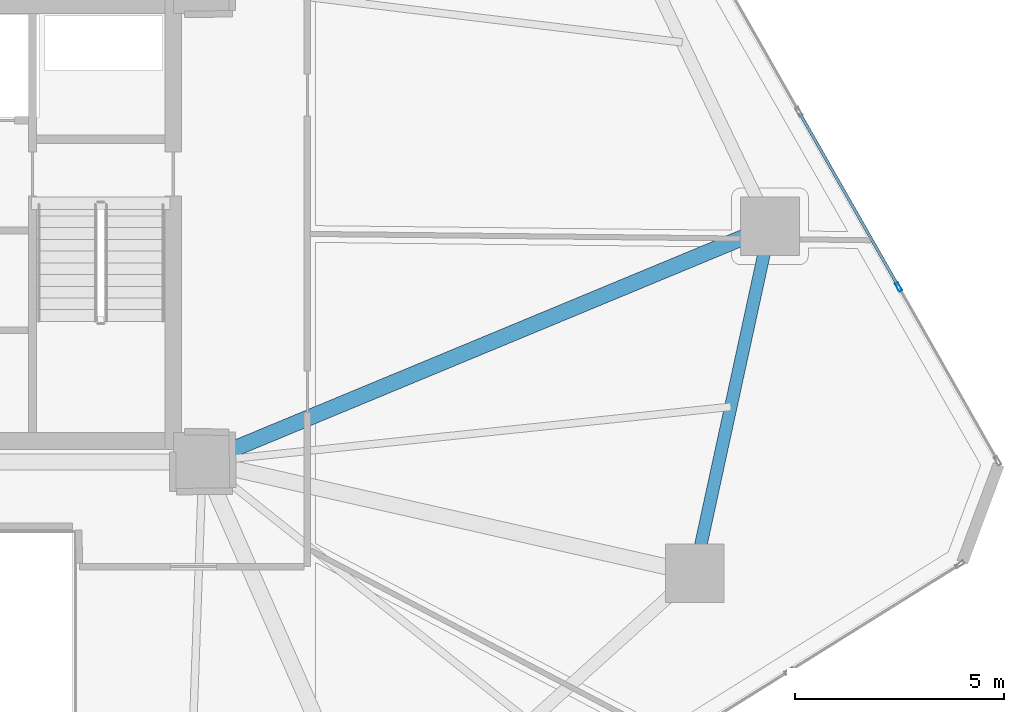
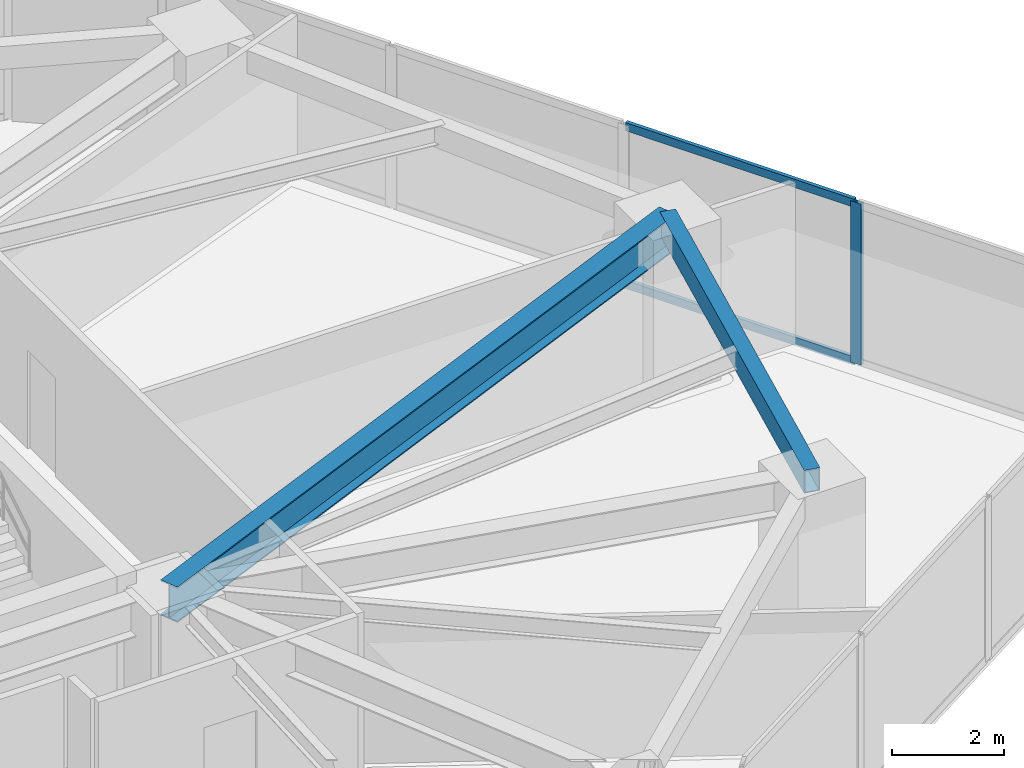
# One storey, part 11 of 22: 3 members, 2 beams, 1 element without a shape of its own.
"""IFC4 building model written with IfcOpenShell, lengths in metres."""

import ifcopenshell
import ifcopenshell.guid

model = None  # the IFC model being written
_history = None  # IfcOwnerHistory: only IFC2X3 demands one
_inside = {}  # id of a spatial element -> (the spatial element, [elements in it])
_under = {}  # id of a project, library or spatial element -> (it, [spatial elements below it])
_declared = {}  # id of a project -> (the project, [libraries it declares])
_typed = {}  # id of a type object -> (the type object, [elements of that type])
_made_of = {}  # id of a material, layer set ... -> (it, [elements and type objects made of it])


def new_model(schema):
    """Start an empty IFC model of exactly this schema.

    Asked for "IFC4X3", IfcOpenShell would pick the latest addendum, in which some entities
    have other attributes; the version numbers below select the first issue.
    IFC2X3 requires an IfcOwnerHistory on every rooted entity: one is made here for all.
    """
    global model, _history
    if schema == "IFC4X3":
        model = ifcopenshell.file(schema_version=(4, 3, 0, 0))
    else:
        model = ifcopenshell.file(schema=schema)
    _inside.clear()
    _under.clear()
    _declared.clear()
    _typed.clear()
    _made_of.clear()
    _history = None
    if model.schema == "IFC2X3":
        org = make("IfcOrganization", Name="unknown")
        user = make(
            "IfcPersonAndOrganization",
            ThePerson=make("IfcPerson", FamilyName="unknown"),
            TheOrganization=org,
        )
        app = make(
            "IfcApplication",
            ApplicationDeveloper=org,
            Version="unknown",
            ApplicationFullName="unknown",
            ApplicationIdentifier="unknown",
        )
        _history = make(
            "IfcOwnerHistory",
            OwningUser=user,
            OwningApplication=app,
            ChangeAction="ADDED",
            CreationDate=0,
        )
    return model


def make(cls, **values):
    """One entity of the class cls with the attributes given. An attribute that is None is left unset."""
    return model.create_entity(
        cls, **{name: value for name, value in values.items() if value is not None}
    )


def rooted(cls, **values):
    """An entity with a GlobalId (a new one), such as an element, a storey or a relation."""
    return make(cls, GlobalId=ifcopenshell.guid.new(), OwnerHistory=_history, **values)


def si_unit(unit_type, name, prefix=None):
    """IfcSIUnit, for example si_unit("LENGTHUNIT", "METRE", prefix="MILLI")."""
    return make("IfcSIUnit", UnitType=unit_type, Prefix=prefix, Name=name)


def assignment(units):
    """IfcUnitAssignment: the units of a project."""
    return None if units is None else make("IfcUnitAssignment", Units=units)


def point(xyz):
    """IfcCartesianPoint."""
    return None if xyz is None else make("IfcCartesianPoint", Coordinates=xyz)


def direction(xyz):
    """IfcDirection."""
    return None if xyz is None else make("IfcDirection", DirectionRatios=xyz)


def frame(location, z_axis=None, x_axis=None):
    """IfcAxis2Placement3D, a coordinate frame: its origin and axes. An axis left out is left unset."""
    return make(
        "IfcAxis2Placement3D",
        Location=point(location),
        Axis=direction(z_axis),
        RefDirection=direction(x_axis),
    )


def frame_2d(location, x_axis=None):
    """IfcAxis2Placement2D, a coordinate frame in the plane: its origin and x axis."""
    return make(
        "IfcAxis2Placement2D", Location=point(location), RefDirection=direction(x_axis)
    )


def origin():
    """The frame at (0, 0, 0) with its axes left unset."""
    return frame((0.0, 0.0, 0.0))


def origin_2d():
    """The frame at (0, 0) in the plane with its x axis left unset."""
    return frame_2d((0.0, 0.0))


def place(relative_to, where):
    """IfcLocalPlacement: puts the frame where relative to a parent placement (None: the world)."""
    return make(
        "IfcLocalPlacement", PlacementRelTo=relative_to, RelativePlacement=where
    )


def context(
    kind, dimensions, precision=None, world=None, true_north=None, identifier=None
):
    """IfcGeometricRepresentationContext, for example the 3D "Model" context."""
    return make(
        "IfcGeometricRepresentationContext",
        ContextIdentifier=identifier,
        ContextType=kind,
        CoordinateSpaceDimension=dimensions,
        Precision=precision,
        WorldCoordinateSystem=world,
        TrueNorth=true_north,
    )


def subcontext(parent, identifier, kind, view, scale=None):
    """IfcGeometricRepresentationSubContext, for example "Body" below "Model"."""
    return make(
        "IfcGeometricRepresentationSubContext",
        ContextIdentifier=identifier,
        ContextType=kind,
        ParentContext=parent,
        TargetScale=scale,
        TargetView=view,
    )


def project(units=None, contexts=None):
    """IfcProject with its units and contexts."""
    return rooted(
        "IfcProject",
        Name="project",
        RepresentationContexts=contexts,
        UnitsInContext=assignment(units),
    )


def spatial(cls, under=None, at=None, **own):
    """A site, building, storey or space (cls), placed at a placement, below another one or the project."""
    s = rooted(cls, ObjectPlacement=at, **own)
    if under is not None:
        _under.setdefault(under.id(), (under, []))[1].append(s)
    return s


def profile(cls, at=None, kind="AREA", **sizes):
    """A parametric profile (cls). Its sizes go by their IFC names, for example OverallWidth=200.0."""
    return make(cls, ProfileType=kind, Position=at, **sizes)


def hollow_rectangle(**sizes):
    """IfcRectangleHollowProfileDef."""
    return profile("IfcRectangleHollowProfileDef", **sizes)


def i_section(**sizes):
    """IfcIShapeProfileDef."""
    return profile("IfcIShapeProfileDef", **sizes)


def extrude(swept, where, along, depth):
    """IfcExtrudedAreaSolid: the profile swept, set in the frame where, extruded along a direction by depth."""
    return make(
        "IfcExtrudedAreaSolid",
        SweptArea=swept,
        Position=where,
        ExtrudedDirection=direction(along),
        Depth=depth,
    )


def shape(context_of_items, identifier, shape_type, items):
    """IfcShapeRepresentation: the items that make up one representation, for example the "Body"."""
    return make(
        "IfcShapeRepresentation",
        ContextOfItems=context_of_items,
        RepresentationIdentifier=identifier,
        RepresentationType=shape_type,
        Items=items,
    )


def source(mapping_origin, context_of_items, identifier, shape_type, items):
    """IfcRepresentationMap: a shape defined once, which mapped items show again and again."""
    return make(
        "IfcRepresentationMap",
        MappingOrigin=mapping_origin,
        MappedRepresentation=shape(context_of_items, identifier, shape_type, items),
    )


def transform(
    local_origin,
    x_axis=None,
    y_axis=None,
    z_axis=None,
    scale=None,
    scale2=None,
    scale3=None,
    uniform=True,
):
    """IfcCartesianTransformationOperator3D, or its non-uniform kind. x_axis, y_axis, z_axis: its Axis1, 2, 3."""
    if uniform:
        return make(
            "IfcCartesianTransformationOperator3D",
            Axis1=direction(x_axis),
            Axis2=direction(y_axis),
            LocalOrigin=point(local_origin),
            Scale=scale,
            Axis3=direction(z_axis),
        )
    return make(
        "IfcCartesianTransformationOperator3DnonUniform",
        Axis1=direction(x_axis),
        Axis2=direction(y_axis),
        LocalOrigin=point(local_origin),
        Scale=scale,
        Axis3=direction(z_axis),
        Scale2=scale2,
        Scale3=scale3,
    )


def mapped(mapping_source, mapping_target):
    """IfcMappedItem: shows the shape of a source again, moved by a transform."""
    return make(
        "IfcMappedItem", MappingSource=mapping_source, MappingTarget=mapping_target
    )


def material(Name=None, Category=None):
    """IfcMaterial."""
    return make("IfcMaterial", Name=Name, Category=Category)


def layer(
    of_material, thickness, ventilated=None, Name=None, Category=None, Priority=None
):
    """IfcMaterialLayer: one layer of a wall or slab, of a material (None: an air gap)."""
    return make(
        "IfcMaterialLayer",
        Material=of_material,
        LayerThickness=thickness,
        IsVentilated=ventilated,
        Name=Name,
        Category=Category,
        Priority=Priority,
    )


def layer_set(layers, Name=None):
    """IfcMaterialLayerSet."""
    return make("IfcMaterialLayerSet", MaterialLayers=layers, LayerSetName=Name)


def material_profile(
    of_material, cross_section, Name=None, Category=None, Priority=None
):
    """IfcMaterialProfile: a cross section and its material."""
    return make(
        "IfcMaterialProfile",
        Name=Name,
        Material=of_material,
        Profile=cross_section,
        Priority=Priority,
        Category=Category,
    )


def profile_set(profiles, Name=None, composite=None):
    """IfcMaterialProfileSet."""
    return make(
        "IfcMaterialProfileSet",
        Name=Name,
        MaterialProfiles=profiles,
        CompositeProfile=composite,
    )


def made_of(thing, what):
    """Note that an element or type object is made of a material, layer set ...; save() writes the relation."""
    if what is not None:
        _made_of.setdefault(what.id(), (what, []))[1].append(thing)
    return thing


def type_object(cls, material=None, **own):
    """A type object (cls), such as IfcWallType, which elements share."""
    return made_of(rooted(cls, **own), material)


def type_shapes(of_type, sources):
    """Give a type object the sources (RepresentationMaps) that its elements show as mapped items."""
    of_type.RepresentationMaps = sources


def element(
    cls,
    number,
    at=None,
    inside=None,
    cuts=None,
    type_object=None,
    material=None,
    context=None,
    identifier="Body",
    shape_type=None,
    held_by="IfcProductDefinitionShape",
    body=None,
    shapes=None,
    **own,
):
    """One element of the class cls, such as IfcWall. Its Tag is "e" and its number.

    at: its placement. inside: the storey or other place that contains it. cuts: it is an
    opening in that element (IfcRelVoidsElement). A single representation is given by context,
    identifier, shape_type and body (its items); several are given by shapes. held_by: the class
    of the entity that holds the representations. save() writes the other relations.
    """
    e = rooted(cls, Tag="e%d" % number, ObjectPlacement=at, **own)
    if body is not None:
        shapes = [shape(context, identifier, shape_type, body)]
    if shapes is not None:
        e.Representation = make(held_by, Representations=shapes)
    if inside is not None:
        _inside.setdefault(inside.id(), (inside, []))[1].append(e)
    if cuts is not None:
        rooted(
            "IfcRelVoidsElement", RelatingBuildingElement=cuts, RelatedOpeningElement=e
        )
    if type_object is not None:
        _typed.setdefault(type_object.id(), (type_object, []))[1].append(e)
    return made_of(e, material)


def aggregate(whole, parts):
    """IfcRelAggregates: a whole, such as a stair, and the parts it consists of."""
    return rooted("IfcRelAggregates", RelatingObject=whole, RelatedObjects=parts)


def save(model, path):
    """Write the relations noted so far, then the file.

    IfcRelAggregates (storeys below a building ...), IfcRelContainedInSpatialStructure (elements
    in a storey), IfcRelDefinesByType, IfcRelAssociatesMaterial and IfcRelDeclares: one each for
    every whole, place, type object, material and project.
    """
    for whole, parts in _under.values():
        aggregate(whole, parts)
    for where, things in _inside.values():
        rooted(
            "IfcRelContainedInSpatialStructure",
            RelatedElements=things,
            RelatingStructure=where,
        )
    for kind, things in _typed.values():
        rooted("IfcRelDefinesByType", RelatedObjects=things, RelatingType=kind)
    for what, things in _made_of.values():
        rooted("IfcRelAssociatesMaterial", RelatedObjects=things, RelatingMaterial=what)
    for by, libraries in _declared.values():
        rooted("IfcRelDeclares", RelatingContext=by, RelatedDefinitions=libraries)
    model.write(path)


model = new_model("IFC4")

# Units and contexts
model_context = context("Model", 3, precision=1e-05, world=origin(), true_north=direction((0.0, 1.0)))
body_context = subcontext(model_context, "Body", "Model", "MODEL_VIEW")
ifc_project = project(units=[si_unit("LENGTHUNIT", "METRE"), si_unit("AREAUNIT", "SQUARE_METRE"), si_unit("VOLUMEUNIT", "CUBIC_METRE"), si_unit("PLANEANGLEUNIT", "RADIAN"), si_unit("MASSUNIT", "GRAM", prefix="KILO")], contexts=[model_context])

# Site, building, storey
site_placement = place(None, origin())
site = spatial("IfcSite", under=ifc_project, at=site_placement, CompositionType="ELEMENT")
building_placement = place(site_placement, origin())
building = spatial("IfcBuilding", under=site, at=building_placement, Name="Talar Marvaseh", CompositionType="ELEMENT")
storey_placement = place(building_placement, frame((0.0, 0.0, 54.39990234375)))
storey = spatial("IfcBuildingStorey", under=building, at=storey_placement, Name="L13", CompositionType="ELEMENT", Elevation=54.39990234375)

# Beams
ifc_material_1 = material(Name="Steel S355", Category="steel")
ifc_material_profile_1 = material_profile(ifc_material_1, hollow_rectangle(XDim=0.300048828125, YDim=0.5, WallThickness=0.02001953125, at=origin_2d()), Name="RHS500x300x20")
ifc_profile_set_1 = profile_set([ifc_material_profile_1], Name="Steel S355")
beam_type_1 = type_object("IfcBeamType", Name="Zone 1 Perimeter Spandrel Beam RHS500x300x20", PredefinedType="SPANDREL", material=ifc_profile_set_1)
beam_1_placement = place(storey_placement, frame((46.841064453125, 31.118896484375, 3.27001953125), z_axis=(-0.212134113363, -0.977240562987, 0.0), x_axis=(0.977240562987, -0.212134113363, 0.0)))
element("IfcBeam", 1, at=beam_1_placement, inside=storey, type_object=beam_type_1, Name="L13 Zone 1 Perimeter Spandrel Beam RHS500x300x20", PredefinedType="SPANDREL", context=body_context, shape_type="SweptSolid", body=[
    extrude(hollow_rectangle(XDim=0.300048828125, YDim=0.5, WallThickness=0.02001953125, at=origin_2d()), origin(), (0.0, 0.0, 1.0), 8.4716796875),
])
ifc_material_profile_2 = material_profile(ifc_material_1, i_section(OverallWidth=0.381103515625, OverallDepth=0.77294921875, WebThickness=0.0166015625, FlangeThickness=0.027099609375, at=origin_2d()), Name="W760x257")
ifc_profile_set_2 = profile_set([ifc_material_profile_2], Name="Steel S355")
beam_type_2 = type_object("IfcBeamType", Name="Zone 1 Radial Floor Girder W760x257", PredefinedType="BEAM", material=ifc_profile_set_2)
beam_2_placement = place(storey_placement, frame((46.841064453125, 31.118896484375, 3.133544921875), z_axis=(-0.923637605375, -0.383266974753, 0.0), x_axis=(0.383266974753, -0.923637605375, 0.0)))
element("IfcBeam", 2, at=beam_2_placement, inside=storey, type_object=beam_type_2, Name="L13 Zone 1 Radial Floor Girder W760x257", PredefinedType="BEAM", context=body_context, shape_type="SweptSolid", body=[
    extrude(i_section(OverallWidth=0.381103515625, OverallDepth=0.77294921875, WebThickness=0.0166015625, FlangeThickness=0.027099609375, at=origin_2d()), origin(), (0.0, 0.0, 1.0), 14.66064453125),
])

# Curtain wall, members
ifc_material_2 = material(Name="Architectural Aluminium", Category="aluminium")
ifc_layer = layer(ifc_material_2, 0.219970703125)
ifc_layer_set = layer_set([ifc_layer], Name="Architectural Aluminium")
curtain_wall_type = type_object("IfcCurtainWallType", Name="Unitised Low-E Museum Curtain Wall Z1", PredefinedType="NOTDEFINED", material=ifc_layer_set)
curtain_wall_placement = place(storey_placement, origin())
curtain_wall = element("IfcCurtainWall", 3, at=curtain_wall_placement, inside=storey, type_object=curtain_wall_type, Name="L13 Unitised Low-E Museum Curtain Wall Z1", PredefinedType="NOTDEFINED")
ifc_material_profile_3 = material_profile(ifc_material_2, hollow_rectangle(XDim=0.080078125, YDim=0.219970703125, WallThickness=0.0048828125, at=origin_2d()), Name="RHS220x80x5")
ifc_profile_set_3 = profile_set([ifc_material_profile_3], Name="Architectural Aluminium")
member_type_1 = type_object("IfcMemberType", Name="Unitised Curtain Wall Heavy Mullion RHS220x80x5", PredefinedType="MULLION", material=ifc_profile_set_3)
shared_shape_1 = source(origin(), body_context, "Body", "SweptSolid", [
    extrude(hollow_rectangle(XDim=0.080078125, YDim=0.219970703125, WallThickness=0.0048828125, at=origin_2d()), origin(), (0.0, 0.0, 1.0), 3.52001953125),
])
type_shapes(member_type_1, [shared_shape_1])
member_1_placement = place(storey_placement, frame((49.9130859375, 29.669677734375, 0.0), z_axis=(0.0, 0.0, 1.0), x_axis=(0.869028750934, 0.494761589101, 0.0)))
member_1 = element("IfcMember", 4, at=member_1_placement, type_object=member_type_1, Name="CW-Z1 mullion 4", PredefinedType="MULLION", context=body_context, shape_type="MappedRepresentation", body=[
    mapped(shared_shape_1, transform((0.0, 0.0, 0.0), x_axis=(1.0, 0.0, 0.0), y_axis=(0.0, 1.0, 0.0), z_axis=(0.0, 0.0, 1.0), scale=1.0)),
])
ifc_material_profile_4 = material_profile(ifc_material_2, hollow_rectangle(XDim=0.074951171875, YDim=0.179931640625, WallThickness=0.0048828125, at=origin_2d()), Name="RHS180x75x5")
ifc_profile_set_4 = profile_set([ifc_material_profile_4], Name="Architectural Aluminium")
member_type_2 = type_object("IfcMemberType", Name="Unitised Curtain Wall Transom RHS180x75x5", PredefinedType="USERDEFINED", material=ifc_profile_set_4)
shared_shape_2 = source(origin(), body_context, "Body", "SweptSolid", [
    extrude(hollow_rectangle(XDim=0.074951171875, YDim=0.179931640625, WallThickness=0.0048828125, at=origin_2d()), origin(), (0.0, 0.0, 1.0), 4.736572265625),
])
type_shapes(member_type_2, [shared_shape_2])
member_2_placement = place(storey_placement, frame((47.5498046875, 33.820556640625, 0.03759765625), z_axis=(0.494767259332, -0.869025522694, 0.0), x_axis=(0.869025522694, 0.494767259332, 0.0)))
member_2 = element("IfcMember", 5, at=member_2_placement, type_object=member_type_2, Name="CW-Z1 transom 3.1", ObjectType="TRANSOM", PredefinedType="USERDEFINED", context=body_context, shape_type="MappedRepresentation", body=[
    mapped(shared_shape_2, transform((0.0, 0.0, 0.0), x_axis=(1.0, 0.0, 0.0), y_axis=(0.0, 1.0, 0.0), z_axis=(0.0, 0.0, 1.0), scale=1.0)),
])
member_3_placement = place(storey_placement, frame((47.5498046875, 33.820556640625, 3.482666015625), z_axis=(0.494767259332, -0.869025522694, 0.0), x_axis=(0.869025522694, 0.494767259332, 0.0)))
member_3 = element("IfcMember", 6, at=member_3_placement, type_object=member_type_2, Name="CW-Z1 transom 3.2", ObjectType="TRANSOM", PredefinedType="USERDEFINED", context=body_context, shape_type="MappedRepresentation", body=[
    mapped(shared_shape_2, transform((0.0, 0.0, 0.0), x_axis=(1.0, 0.0, 0.0), y_axis=(0.0, 1.0, 0.0), z_axis=(0.0, 0.0, 1.0), scale=1.0)),
])
aggregate(curtain_wall, [member_1, member_2, member_3])

save(model, "model.ifc")
